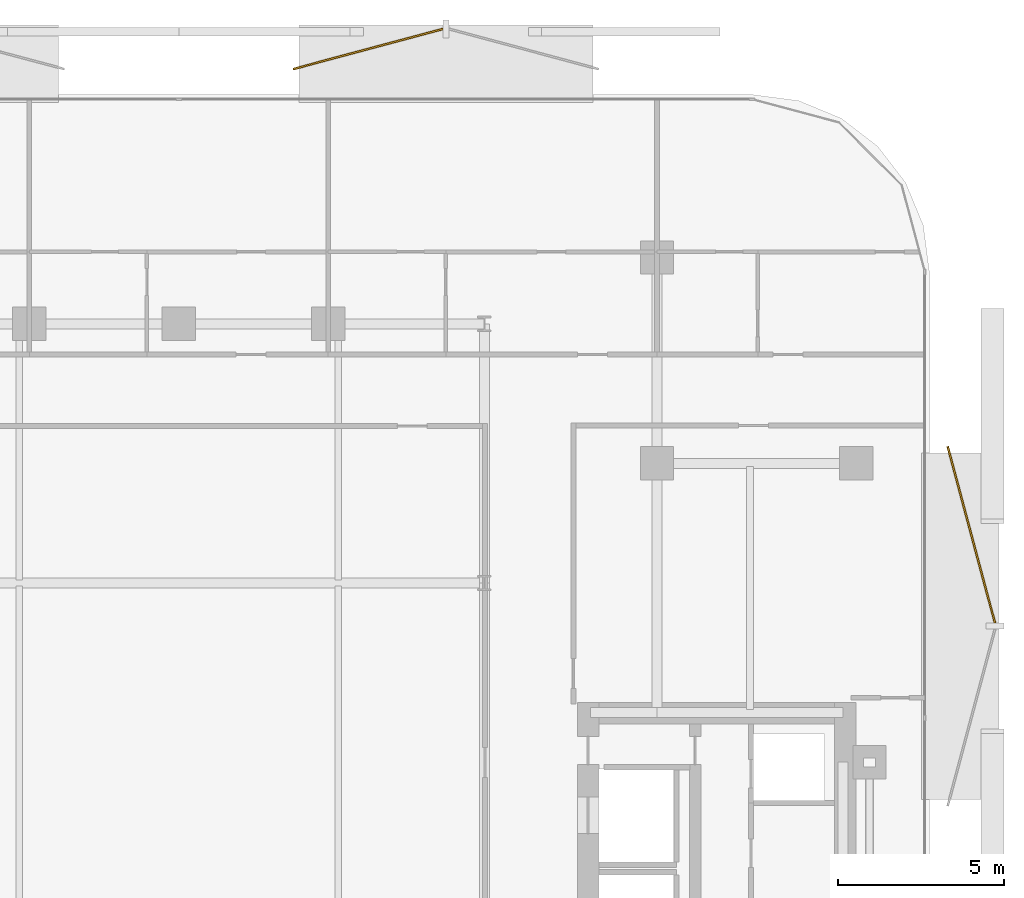
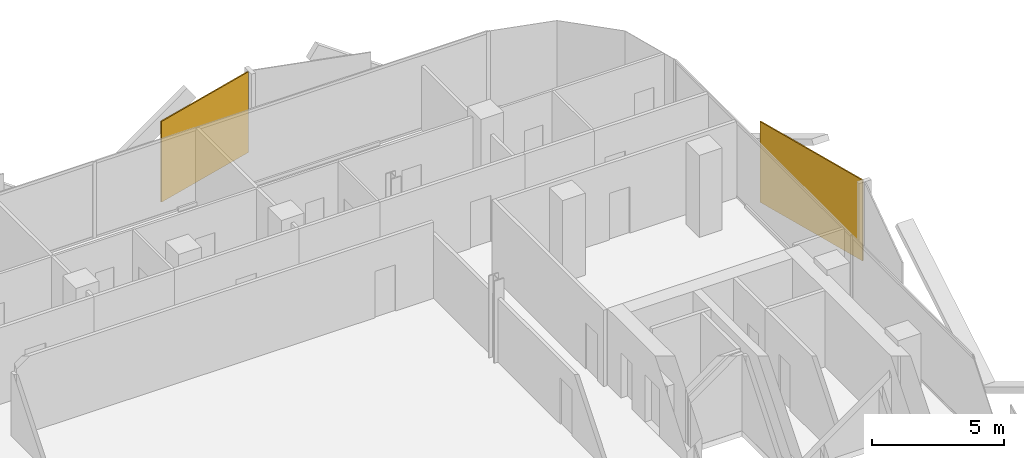
# One storey, part 17 of 17: 2 coverings.
"""IFC4 building model written with IfcOpenShell, lengths in metres."""

from ifc_helpers import new_model, si_unit, direction, frame, origin, origin_2d, place, context, subcontext, project, spatial, rectangle, extrude, material, layer, layer_set, type_object, element, save


model = new_model("IFC4")

# Units and contexts
model_context = context("Model", 3, precision=1e-05, world=origin(), true_north=direction((0.0, 1.0)))
body_context = subcontext(model_context, "Body", "Model", "MODEL_VIEW")
ifc_project = project(units=[si_unit("LENGTHUNIT", "METRE"), si_unit("AREAUNIT", "SQUARE_METRE"), si_unit("VOLUMEUNIT", "CUBIC_METRE"), si_unit("PLANEANGLEUNIT", "RADIAN"), si_unit("MASSUNIT", "GRAM", prefix="KILO")], contexts=[model_context])

# Site, building, storey
site_placement = place(None, origin())
site = spatial("IfcSite", under=ifc_project, at=site_placement, CompositionType="ELEMENT")
building_placement = place(site_placement, origin())
building = spatial("IfcBuilding", under=site, at=building_placement, Name="Khairoan Windgate Tower", CompositionType="ELEMENT")
storey_placement = place(building_placement, frame((0.0, 0.0, 172.60009765625)))
storey = spatial("IfcBuildingStorey", under=building, at=storey_placement, Name="L39", CompositionType="ELEMENT", Elevation=172.60009765625)

# Coverings
ifc_material = material(Name="Anodised Bronze Aluminium 6063-T6", Category="aluminium")
ifc_layer = layer(ifc_material, 0.054931640625, Name="Anodised Bronze Aluminium 6063-T6")
ifc_layer_set = layer_set([ifc_layer], Name="Anodised Bronze Aluminium 6063-T6")
covering_type = type_object("IfcCoveringType", Name="Perforated Bronze-Ceramic Folded Solar Screen Cladding BSC-1", PredefinedType="CLADDING", material=ifc_layer_set)
covering_1_placement = place(storey_placement, frame((5.701904296875, 26.876220703125, -0.10009765625), z_axis=(0.0, 0.0, 1.0), x_axis=(0.965925826289, 0.258819045103, 0.0)))
element("IfcCovering", 1, at=covering_1_placement, inside=storey, type_object=covering_type, Name="L39 Folded Bronze Solar Screen Facet 254L", PredefinedType="CLADDING", context=body_context, shape_type="SweptSolid", body=[
    extrude(rectangle(XDim=4.666015625, YDim=0.054931640625, at=origin_2d()), origin(), (0.0, 0.0, 1.0), 3.739990234375),
])
covering_2_placement = place(storey_placement, frame((23.8671875, 12.2451171875, -0.10009765625), z_axis=(0.0, 0.0, 1.0), x_axis=(0.258819045103, -0.965925826289, 0.0)))
element("IfcCovering", 2, at=covering_2_placement, inside=storey, type_object=covering_type, Name="L39 Folded Bronze Solar Screen Facet 255L", PredefinedType="CLADDING", context=body_context, shape_type="SweptSolid", body=[
    extrude(rectangle(XDim=5.507080078125, YDim=0.054931640625, at=origin_2d()), origin(), (0.0, 0.0, 1.0), 3.739990234375),
])

save(model, "model.ifc")
